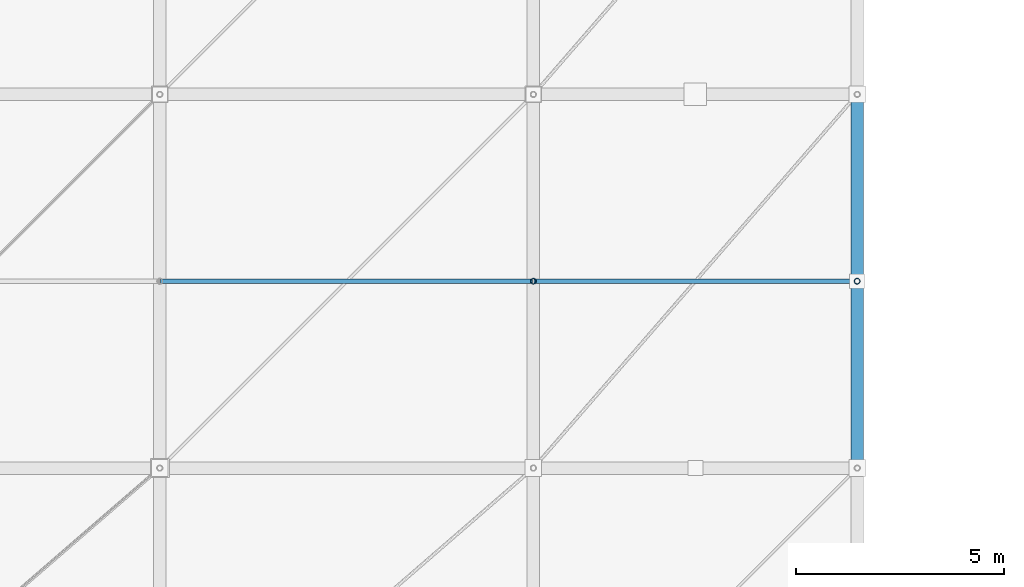
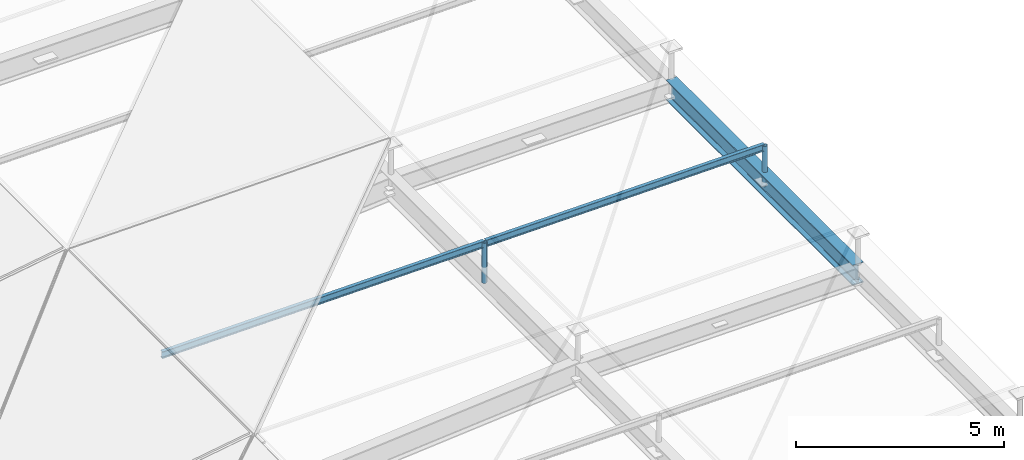
# One storey, part 52 of 80: 4 members, 1 beam.
"""IFC4 building model written with IfcOpenShell, lengths in metres."""

import ifcopenshell
import ifcopenshell.guid

model = None  # the IFC model being written
_history = None  # IfcOwnerHistory: only IFC2X3 demands one
_inside = {}  # id of a spatial element -> (the spatial element, [elements in it])
_under = {}  # id of a project, library or spatial element -> (it, [spatial elements below it])
_declared = {}  # id of a project -> (the project, [libraries it declares])
_typed = {}  # id of a type object -> (the type object, [elements of that type])
_made_of = {}  # id of a material, layer set ... -> (it, [elements and type objects made of it])


def new_model(schema):
    """Start an empty IFC model of exactly this schema.

    Asked for "IFC4X3", IfcOpenShell would pick the latest addendum, in which some entities
    have other attributes; the version numbers below select the first issue.
    IFC2X3 requires an IfcOwnerHistory on every rooted entity: one is made here for all.
    """
    global model, _history
    if schema == "IFC4X3":
        model = ifcopenshell.file(schema_version=(4, 3, 0, 0))
    else:
        model = ifcopenshell.file(schema=schema)
    _inside.clear()
    _under.clear()
    _declared.clear()
    _typed.clear()
    _made_of.clear()
    _history = None
    if model.schema == "IFC2X3":
        org = make("IfcOrganization", Name="unknown")
        user = make(
            "IfcPersonAndOrganization",
            ThePerson=make("IfcPerson", FamilyName="unknown"),
            TheOrganization=org,
        )
        app = make(
            "IfcApplication",
            ApplicationDeveloper=org,
            Version="unknown",
            ApplicationFullName="unknown",
            ApplicationIdentifier="unknown",
        )
        _history = make(
            "IfcOwnerHistory",
            OwningUser=user,
            OwningApplication=app,
            ChangeAction="ADDED",
            CreationDate=0,
        )
    return model


def make(cls, **values):
    """One entity of the class cls with the attributes given. An attribute that is None is left unset."""
    return model.create_entity(
        cls, **{name: value for name, value in values.items() if value is not None}
    )


def rooted(cls, **values):
    """An entity with a GlobalId (a new one), such as an element, a storey or a relation."""
    return make(cls, GlobalId=ifcopenshell.guid.new(), OwnerHistory=_history, **values)


def si_unit(unit_type, name, prefix=None):
    """IfcSIUnit, for example si_unit("LENGTHUNIT", "METRE", prefix="MILLI")."""
    return make("IfcSIUnit", UnitType=unit_type, Prefix=prefix, Name=name)


def assignment(units):
    """IfcUnitAssignment: the units of a project."""
    return None if units is None else make("IfcUnitAssignment", Units=units)


def point(xyz):
    """IfcCartesianPoint."""
    return None if xyz is None else make("IfcCartesianPoint", Coordinates=xyz)


def direction(xyz):
    """IfcDirection."""
    return None if xyz is None else make("IfcDirection", DirectionRatios=xyz)


def frame(location, z_axis=None, x_axis=None):
    """IfcAxis2Placement3D, a coordinate frame: its origin and axes. An axis left out is left unset."""
    return make(
        "IfcAxis2Placement3D",
        Location=point(location),
        Axis=direction(z_axis),
        RefDirection=direction(x_axis),
    )


def frame_2d(location, x_axis=None):
    """IfcAxis2Placement2D, a coordinate frame in the plane: its origin and x axis."""
    return make(
        "IfcAxis2Placement2D", Location=point(location), RefDirection=direction(x_axis)
    )


def origin():
    """The frame at (0, 0, 0) with its axes left unset."""
    return frame((0.0, 0.0, 0.0))


def origin_2d():
    """The frame at (0, 0) in the plane with its x axis left unset."""
    return frame_2d((0.0, 0.0))


def place(relative_to, where):
    """IfcLocalPlacement: puts the frame where relative to a parent placement (None: the world)."""
    return make(
        "IfcLocalPlacement", PlacementRelTo=relative_to, RelativePlacement=where
    )


def context(
    kind, dimensions, precision=None, world=None, true_north=None, identifier=None
):
    """IfcGeometricRepresentationContext, for example the 3D "Model" context."""
    return make(
        "IfcGeometricRepresentationContext",
        ContextIdentifier=identifier,
        ContextType=kind,
        CoordinateSpaceDimension=dimensions,
        Precision=precision,
        WorldCoordinateSystem=world,
        TrueNorth=true_north,
    )


def subcontext(parent, identifier, kind, view, scale=None):
    """IfcGeometricRepresentationSubContext, for example "Body" below "Model"."""
    return make(
        "IfcGeometricRepresentationSubContext",
        ContextIdentifier=identifier,
        ContextType=kind,
        ParentContext=parent,
        TargetScale=scale,
        TargetView=view,
    )


def project(units=None, contexts=None):
    """IfcProject with its units and contexts."""
    return rooted(
        "IfcProject",
        Name="project",
        RepresentationContexts=contexts,
        UnitsInContext=assignment(units),
    )


def spatial(cls, under=None, at=None, **own):
    """A site, building, storey or space (cls), placed at a placement, below another one or the project."""
    s = rooted(cls, ObjectPlacement=at, **own)
    if under is not None:
        _under.setdefault(under.id(), (under, []))[1].append(s)
    return s


def profile(cls, at=None, kind="AREA", **sizes):
    """A parametric profile (cls). Its sizes go by their IFC names, for example OverallWidth=200.0."""
    return make(cls, ProfileType=kind, Position=at, **sizes)


def hollow_circle(**sizes):
    """IfcCircleHollowProfileDef."""
    return profile("IfcCircleHollowProfileDef", **sizes)


def i_section(**sizes):
    """IfcIShapeProfileDef."""
    return profile("IfcIShapeProfileDef", **sizes)


def extrude(swept, where, along, depth):
    """IfcExtrudedAreaSolid: the profile swept, set in the frame where, extruded along a direction by depth."""
    return make(
        "IfcExtrudedAreaSolid",
        SweptArea=swept,
        Position=where,
        ExtrudedDirection=direction(along),
        Depth=depth,
    )


def shape(context_of_items, identifier, shape_type, items):
    """IfcShapeRepresentation: the items that make up one representation, for example the "Body"."""
    return make(
        "IfcShapeRepresentation",
        ContextOfItems=context_of_items,
        RepresentationIdentifier=identifier,
        RepresentationType=shape_type,
        Items=items,
    )


def material(Name=None, Category=None):
    """IfcMaterial."""
    return make("IfcMaterial", Name=Name, Category=Category)


def material_profile(
    of_material, cross_section, Name=None, Category=None, Priority=None
):
    """IfcMaterialProfile: a cross section and its material."""
    return make(
        "IfcMaterialProfile",
        Name=Name,
        Material=of_material,
        Profile=cross_section,
        Priority=Priority,
        Category=Category,
    )


def profile_set(profiles, Name=None, composite=None):
    """IfcMaterialProfileSet."""
    return make(
        "IfcMaterialProfileSet",
        Name=Name,
        MaterialProfiles=profiles,
        CompositeProfile=composite,
    )


def made_of(thing, what):
    """Note that an element or type object is made of a material, layer set ...; save() writes the relation."""
    if what is not None:
        _made_of.setdefault(what.id(), (what, []))[1].append(thing)
    return thing


def type_object(cls, material=None, **own):
    """A type object (cls), such as IfcWallType, which elements share."""
    return made_of(rooted(cls, **own), material)


def element(
    cls,
    number,
    at=None,
    inside=None,
    cuts=None,
    type_object=None,
    material=None,
    context=None,
    identifier="Body",
    shape_type=None,
    held_by="IfcProductDefinitionShape",
    body=None,
    shapes=None,
    **own,
):
    """One element of the class cls, such as IfcWall. Its Tag is "e" and its number.

    at: its placement. inside: the storey or other place that contains it. cuts: it is an
    opening in that element (IfcRelVoidsElement). A single representation is given by context,
    identifier, shape_type and body (its items); several are given by shapes. held_by: the class
    of the entity that holds the representations. save() writes the other relations.
    """
    e = rooted(cls, Tag="e%d" % number, ObjectPlacement=at, **own)
    if body is not None:
        shapes = [shape(context, identifier, shape_type, body)]
    if shapes is not None:
        e.Representation = make(held_by, Representations=shapes)
    if inside is not None:
        _inside.setdefault(inside.id(), (inside, []))[1].append(e)
    if cuts is not None:
        rooted(
            "IfcRelVoidsElement", RelatingBuildingElement=cuts, RelatedOpeningElement=e
        )
    if type_object is not None:
        _typed.setdefault(type_object.id(), (type_object, []))[1].append(e)
    return made_of(e, material)


def aggregate(whole, parts):
    """IfcRelAggregates: a whole, such as a stair, and the parts it consists of."""
    return rooted("IfcRelAggregates", RelatingObject=whole, RelatedObjects=parts)


def save(model, path):
    """Write the relations noted so far, then the file.

    IfcRelAggregates (storeys below a building ...), IfcRelContainedInSpatialStructure (elements
    in a storey), IfcRelDefinesByType, IfcRelAssociatesMaterial and IfcRelDeclares: one each for
    every whole, place, type object, material and project.
    """
    for whole, parts in _under.values():
        aggregate(whole, parts)
    for where, things in _inside.values():
        rooted(
            "IfcRelContainedInSpatialStructure",
            RelatedElements=things,
            RelatingStructure=where,
        )
    for kind, things in _typed.values():
        rooted("IfcRelDefinesByType", RelatedObjects=things, RelatingType=kind)
    for what, things in _made_of.values():
        rooted("IfcRelAssociatesMaterial", RelatedObjects=things, RelatingMaterial=what)
    for by, libraries in _declared.values():
        rooted("IfcRelDeclares", RelatingContext=by, RelatedDefinitions=libraries)
    model.write(path)


model = new_model("IFC4")

# Units and contexts
model_context = context("Model", 3, precision=1e-05, world=origin(), true_north=direction((0.0, 1.0)))
body_context = subcontext(model_context, "Body", "Model", "MODEL_VIEW")
ifc_project = project(units=[si_unit("LENGTHUNIT", "METRE"), si_unit("AREAUNIT", "SQUARE_METRE"), si_unit("VOLUMEUNIT", "CUBIC_METRE"), si_unit("PLANEANGLEUNIT", "RADIAN"), si_unit("MASSUNIT", "GRAM", prefix="KILO")], contexts=[model_context])

# Site, building, storey
site_placement = place(None, origin())
site = spatial("IfcSite", under=ifc_project, at=site_placement, CompositionType="ELEMENT")
building_placement = place(site_placement, origin())
building = spatial("IfcBuilding", under=site, at=building_placement, Name="Barlavento Convention Centre", CompositionType="ELEMENT")
storey_placement = place(building_placement, frame((0.0, 0.0, 29.800048828125)))
storey = spatial("IfcBuildingStorey", under=building, at=storey_placement, Name="RF", CompositionType="ELEMENT", Elevation=29.800048828125)

# Beam
ifc_material = material(Name="Steel S355", Category="steel")
ifc_material_profile_1 = material_profile(ifc_material, i_section(OverallWidth=0.300048828125, OverallDepth=0.60009765625, WebThickness=0.015380859375, FlangeThickness=0.030029296875, FilletRadius=0.027099609375, at=origin_2d()), Name="HEB 600")
ifc_profile_set_1 = profile_set([ifc_material_profile_1], Name="Steel S355")
beam_type = type_object("IfcBeamType", Name="STR-BM-CANT-HEB600", PredefinedType="BEAM", material=ifc_profile_set_1)
beam_placement = place(storey_placement, frame((70.800048828125, 0.0048828125, 0.39990234375), z_axis=(0.0, 1.0, 0.0), x_axis=(-1.0, 0.0, 0.0)))
element("IfcBeam", 1, at=beam_placement, inside=storey, type_object=beam_type, Name="Congress roof truss space frame chord", PredefinedType="BEAM", context=body_context, shape_type="SweptSolid", body=[
    extrude(i_section(OverallWidth=0.300048828125, OverallDepth=0.60009765625, WebThickness=0.015380859375, FlangeThickness=0.030029296875, FilletRadius=0.027099609375, at=origin_2d()), origin(), (0.0, 0.0, 1.0), 8.990234375),
])

# Members
ifc_material_profile_2 = material_profile(ifc_material, hollow_circle(Radius=0.06982421875, WallThickness=0.008056640625, at=origin_2d()), Name="CHS 139.7x8.0")
ifc_profile_set_2 = profile_set([ifc_material_profile_2], Name="Steel S355")
member_type_1 = type_object("IfcMemberType", Name="STR-MEM-DIAG-CHS139", PredefinedType="BRACE", material=ifc_profile_set_2)
member_1_placement = place(storey_placement, frame((63.0, 4.5, 0.166748046875), z_axis=(0.0, 0.0, 1.0), x_axis=(1.0, 0.0, 0.0)))
element("IfcMember", 2, at=member_1_placement, inside=storey, type_object=member_type_1, Name="Congress space frame vertical node post TD04", PredefinedType="BRACE", context=body_context, shape_type="SweptSolid", body=[
    extrude(hollow_circle(Radius=0.06982421875, WallThickness=0.008056640625, at=origin_2d()), origin(), (0.0, 0.0, 1.0), 1.182373046875),
])
member_2_placement = place(storey_placement, frame((70.800048828125, 4.5, 0.280029296875), z_axis=(0.0, 0.0, 1.0), x_axis=(1.0, 0.0, 0.0)))
element("IfcMember", 3, at=member_2_placement, inside=storey, type_object=member_type_1, Name="Congress space frame vertical node post TD04", PredefinedType="BRACE", context=body_context, shape_type="SweptSolid", body=[
    extrude(hollow_circle(Radius=0.06982421875, WallThickness=0.008056640625, at=origin_2d()), origin(), (0.0, 0.0, 1.0), 1.181640625),
])
ifc_material_profile_3 = material_profile(ifc_material, i_section(OverallWidth=0.10009765625, OverallDepth=0.199951171875, WebThickness=0.005615234375, FlangeThickness=0.008544921875, FilletRadius=0.011962890625, at=origin_2d()), Name="IPE 200")
ifc_profile_set_3 = profile_set([ifc_material_profile_3], Name="Steel S355")
member_type_2 = type_object("IfcMemberType", Name="STR-MEM-PUR-IPE200", PredefinedType="PURLIN", material=ifc_profile_set_3)
member_3_placement = place(storey_placement, frame((54.02001953125, 4.5, 1.178466796875), z_axis=(0.999894555581, 0.0, 0.014521629377), x_axis=(0.0, 1.0, 0.0)))
element("IfcMember", 4, at=member_3_placement, inside=storey, type_object=member_type_2, Name="Congress roof intermediate purlin PR01", PredefinedType="PURLIN", context=body_context, shape_type="SweptSolid", body=[
    extrude(i_section(OverallWidth=0.10009765625, OverallDepth=0.199951171875, WebThickness=0.005615234375, FlangeThickness=0.008544921875, FilletRadius=0.011962890625, at=origin_2d()), origin(), (0.0, 0.0, 1.0), 8.9609375),
])
member_4_placement = place(storey_placement, frame((63.02001953125, 4.5, 1.30908203125), z_axis=(0.999894837982, 0.0, 0.014502171474), x_axis=(0.0, 1.0, 0.0)))
element("IfcMember", 5, at=member_4_placement, inside=storey, type_object=member_type_2, Name="Congress roof intermediate purlin PR01", PredefinedType="PURLIN", context=body_context, shape_type="SweptSolid", body=[
    extrude(i_section(OverallWidth=0.10009765625, OverallDepth=0.199951171875, WebThickness=0.005615234375, FlangeThickness=0.008544921875, FilletRadius=0.011962890625, at=origin_2d()), origin(), (0.0, 0.0, 1.0), 7.7607421875),
])

save(model, "model.ifc")
